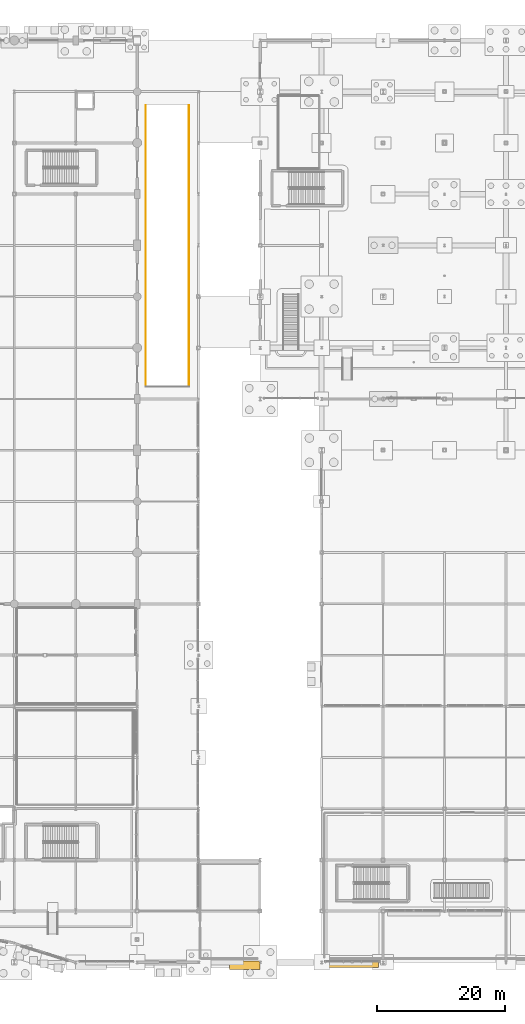
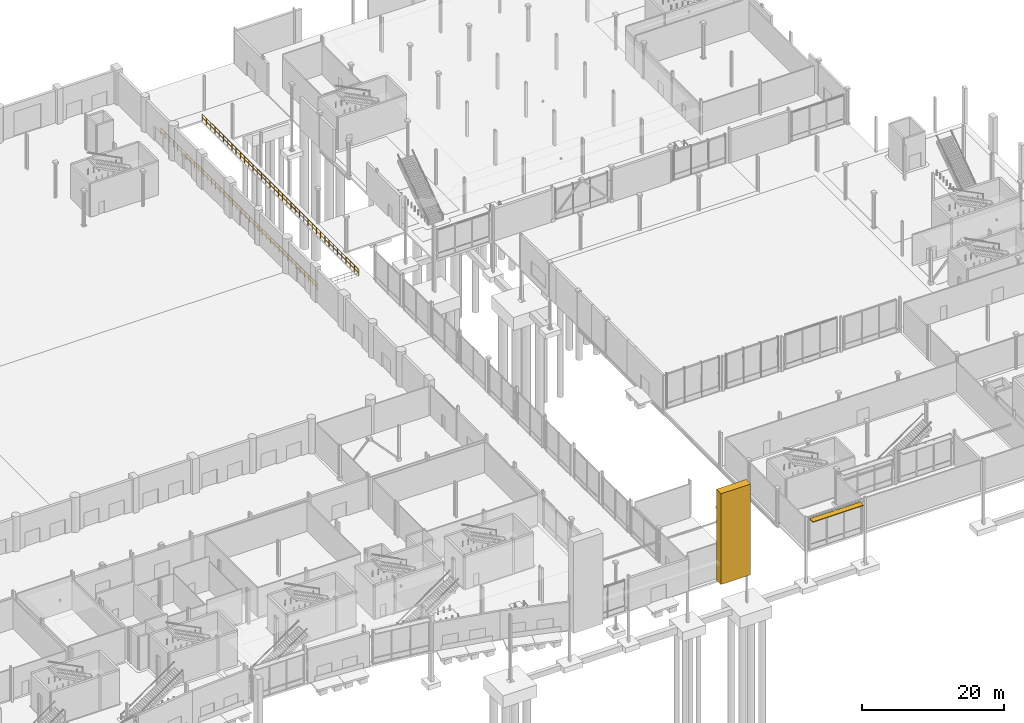
# One storey, part 113 of 124: 2 railings, 1 covering, 1 shading device.
"""IFC4 building model written with IfcOpenShell, lengths in metres."""

from ifc_helpers import new_model, si_unit, direction, frame, origin, origin_2d, place, context, subcontext, project, spatial, rectangle, circle, extrude, material, layer, layer_set, type_object, element, save


model = new_model("IFC4")

# Units and contexts
model_context = context("Model", 3, precision=1e-05, world=origin(), true_north=direction((0.0, 1.0)))
body_context = subcontext(model_context, "Body", "Model", "MODEL_VIEW")
ifc_project = project(units=[si_unit("LENGTHUNIT", "METRE"), si_unit("AREAUNIT", "SQUARE_METRE"), si_unit("VOLUMEUNIT", "CUBIC_METRE"), si_unit("PLANEANGLEUNIT", "RADIAN"), si_unit("MASSUNIT", "GRAM", prefix="KILO")], contexts=[model_context])

# Site, building, storey
site_placement = place(None, origin())
site = spatial("IfcSite", under=ifc_project, at=site_placement, CompositionType="ELEMENT")
building_placement = place(site_placement, origin())
building = spatial("IfcBuilding", under=site, at=building_placement, Name="Danafjord Basin Convention Centre", CompositionType="ELEMENT")
storey_placement = place(building_placement, origin())
storey = spatial("IfcBuildingStorey", under=building, at=storey_placement, Name="L00", CompositionType="ELEMENT", Elevation=0.0)

# Covering
ifc_material_1 = material(Name="Architectural white precast concrete C45/55", Category="concrete")
ifc_layer = layer(ifc_material_1, 0.419921875)
ifc_layer_set = layer_set([ifc_layer], Name="Architectural white precast concrete C45/55")
covering_type = type_object("IfcCoveringType", Name="COV-ARCH-PORTAL", PredefinedType="CLADDING", material=ifc_layer_set)
covering_placement = place(storey_placement, frame((132.0, -0.449951171875, 0.0), z_axis=(0.0, 0.0, 1.0), x_axis=(1.0, 0.0, 0.0)))
element("IfcCovering", 1, at=covering_placement, inside=storey, type_object=covering_type, Name="Main harbourfront entrance portal E banded pier", PredefinedType="CLADDING", context=body_context, shape_type="SweptSolid", body=[
    extrude(rectangle(XDim=4.800048828125, YDim=1.300048828125, at=origin_2d()), origin(), (0.0, 0.0, 1.0), 15.60009765625),
])

# Railings
ifc_material_2 = material(Name="Galvanised and powder-coated steel S355", Category="steel")
railing_type = type_object("IfcRailingType", Name="RL-BAL-STL", PredefinedType="BALUSTRADE", material=ifc_material_2)
railing_1_placement = place(storey_placement, frame((116.52001953125, 89.919921875, 0.0)))
element("IfcRailing", 2, at=railing_1_placement, inside=storey, type_object=railing_type, Name="L00 vehicle ramp well safety balustrade", PredefinedType="BALUSTRADE", context=body_context, shape_type="SweptSolid", body=[
    extrude(circle(Radius=0.02392578125, at=origin_2d()), frame((0.0, 0.0, 1.1259765625), z_axis=(0.0, 1.0, 0.0), x_axis=(-1.0, 0.0, 0.0)), (0.0, 0.0, 1.0), 43.97998046875),
    extrude(circle(Radius=0.02392578125, at=origin_2d()), frame((0.0, 0.0, 0.55078125), z_axis=(0.0, 1.0, 0.0), x_axis=(-1.0, 0.0, 0.0)), (0.0, 0.0, 1.0), 43.97998046875),
    extrude(circle(Radius=0.02099609375, at=origin_2d()), origin(), (0.0, 0.0, 1.0), 1.099853515625),
    extrude(circle(Radius=0.02099609375, at=origin_2d()), frame((0.0, 1.188720703125, 0.0)), (0.0, 0.0, 1.0), 1.099853515625),
    extrude(circle(Radius=0.02099609375, at=origin_2d()), frame((0.0, 2.377197265625, 0.0)), (0.0, 0.0, 1.0), 1.099853515625),
    extrude(circle(Radius=0.02099609375, at=origin_2d()), frame((0.0, 3.56591796875, 0.0)), (0.0, 0.0, 1.0), 1.099853515625),
    extrude(circle(Radius=0.02099609375, at=origin_2d()), frame((0.0, 4.754638671875, 0.0)), (0.0, 0.0, 1.0), 1.099853515625),
    extrude(circle(Radius=0.02099609375, at=origin_2d()), frame((0.0, 5.943359375, 0.0)), (0.0, 0.0, 1.0), 1.099853515625),
    extrude(circle(Radius=0.02099609375, at=origin_2d()), frame((0.0, 7.1318359375, 0.0)), (0.0, 0.0, 1.0), 1.099853515625),
    extrude(circle(Radius=0.02099609375, at=origin_2d()), frame((0.0, 8.320556640625, 0.0)), (0.0, 0.0, 1.0), 1.099853515625),
    extrude(circle(Radius=0.02099609375, at=origin_2d()), frame((0.0, 9.50927734375, 0.0)), (0.0, 0.0, 1.0), 1.099853515625),
    extrude(circle(Radius=0.02099609375, at=origin_2d()), frame((0.0, 10.69775390625, 0.0)), (0.0, 0.0, 1.0), 1.099853515625),
    extrude(circle(Radius=0.02099609375, at=origin_2d()), frame((0.0, 11.886474609375, 0.0)), (0.0, 0.0, 1.0), 1.099853515625),
    extrude(circle(Radius=0.02099609375, at=origin_2d()), frame((0.0, 13.0751953125, 0.0)), (0.0, 0.0, 1.0), 1.099853515625),
    extrude(circle(Radius=0.02099609375, at=origin_2d()), frame((0.0, 14.263671875, 0.0)), (0.0, 0.0, 1.0), 1.099853515625),
    extrude(circle(Radius=0.02099609375, at=origin_2d()), frame((0.0, 15.452392578125, 0.0)), (0.0, 0.0, 1.0), 1.099853515625),
    extrude(circle(Radius=0.02099609375, at=origin_2d()), frame((0.0, 16.64111328125, 0.0)), (0.0, 0.0, 1.0), 1.099853515625),
    extrude(circle(Radius=0.02099609375, at=origin_2d()), frame((0.0, 17.829833984375, 0.0)), (0.0, 0.0, 1.0), 1.099853515625),
    extrude(circle(Radius=0.02099609375, at=origin_2d()), frame((0.0, 19.018310546875, 0.0)), (0.0, 0.0, 1.0), 1.099853515625),
    extrude(circle(Radius=0.02099609375, at=origin_2d()), frame((0.0, 20.20703125, 0.0)), (0.0, 0.0, 1.0), 1.099853515625),
    extrude(circle(Radius=0.02099609375, at=origin_2d()), frame((0.0, 21.395751953125, 0.0)), (0.0, 0.0, 1.0), 1.099853515625),
    extrude(circle(Radius=0.02099609375, at=origin_2d()), frame((0.0, 22.584228515625, 0.0)), (0.0, 0.0, 1.0), 1.099853515625),
    extrude(circle(Radius=0.02099609375, at=origin_2d()), frame((0.0, 23.77294921875, 0.0)), (0.0, 0.0, 1.0), 1.099853515625),
    extrude(circle(Radius=0.02099609375, at=origin_2d()), frame((0.0, 24.961669921875, 0.0)), (0.0, 0.0, 1.0), 1.099853515625),
    extrude(circle(Radius=0.02099609375, at=origin_2d()), frame((0.0, 26.150146484375, 0.0)), (0.0, 0.0, 1.0), 1.099853515625),
    extrude(circle(Radius=0.02099609375, at=origin_2d()), frame((0.0, 27.3388671875, 0.0)), (0.0, 0.0, 1.0), 1.099853515625),
    extrude(circle(Radius=0.02099609375, at=origin_2d()), frame((0.0, 28.527587890625, 0.0)), (0.0, 0.0, 1.0), 1.099853515625),
    extrude(circle(Radius=0.02099609375, at=origin_2d()), frame((0.0, 29.71630859375, 0.0)), (0.0, 0.0, 1.0), 1.099853515625),
    extrude(circle(Radius=0.02099609375, at=origin_2d()), frame((0.0, 30.90478515625, 0.0)), (0.0, 0.0, 1.0), 1.099853515625),
    extrude(circle(Radius=0.02099609375, at=origin_2d()), frame((0.0, 32.093505859375, 0.0)), (0.0, 0.0, 1.0), 1.099853515625),
    extrude(circle(Radius=0.02099609375, at=origin_2d()), frame((0.0, 33.2822265625, 0.0)), (0.0, 0.0, 1.0), 1.099853515625),
    extrude(circle(Radius=0.02099609375, at=origin_2d()), frame((0.0, 34.470703125, 0.0)), (0.0, 0.0, 1.0), 1.099853515625),
    extrude(circle(Radius=0.02099609375, at=origin_2d()), frame((0.0, 35.659423828125, 0.0)), (0.0, 0.0, 1.0), 1.099853515625),
    extrude(circle(Radius=0.02099609375, at=origin_2d()), frame((0.0, 36.84814453125, 0.0)), (0.0, 0.0, 1.0), 1.099853515625),
    extrude(circle(Radius=0.02099609375, at=origin_2d()), frame((0.0, 38.03662109375, 0.0)), (0.0, 0.0, 1.0), 1.099853515625),
    extrude(circle(Radius=0.02099609375, at=origin_2d()), frame((0.0, 39.225341796875, 0.0)), (0.0, 0.0, 1.0), 1.099853515625),
    extrude(circle(Radius=0.02099609375, at=origin_2d()), frame((0.0, 40.4140625, 0.0)), (0.0, 0.0, 1.0), 1.099853515625),
    extrude(circle(Radius=0.02099609375, at=origin_2d()), frame((0.0, 41.602783203125, 0.0)), (0.0, 0.0, 1.0), 1.099853515625),
    extrude(circle(Radius=0.02099609375, at=origin_2d()), frame((0.0, 42.791259765625, 0.0)), (0.0, 0.0, 1.0), 1.099853515625),
    extrude(circle(Radius=0.02099609375, at=origin_2d()), frame((0.0, 43.97998046875, 0.0)), (0.0, 0.0, 1.0), 1.099853515625),
])
railing_2_placement = place(storey_placement, frame((123.280029296875, 89.919921875, 0.0)))
element("IfcRailing", 3, at=railing_2_placement, inside=storey, type_object=railing_type, Name="L00 vehicle ramp well safety balustrade", PredefinedType="BALUSTRADE", context=body_context, shape_type="SweptSolid", body=[
    extrude(circle(Radius=0.02392578125, at=origin_2d()), frame((0.0, 0.0, 1.1259765625), z_axis=(0.0, 1.0, 0.0), x_axis=(-1.0, 0.0, 0.0)), (0.0, 0.0, 1.0), 43.97998046875),
    extrude(circle(Radius=0.02392578125, at=origin_2d()), frame((0.0, 0.0, 0.55078125), z_axis=(0.0, 1.0, 0.0), x_axis=(-1.0, 0.0, 0.0)), (0.0, 0.0, 1.0), 43.97998046875),
    extrude(circle(Radius=0.02099609375, at=origin_2d()), origin(), (0.0, 0.0, 1.0), 1.099853515625),
    extrude(circle(Radius=0.02099609375, at=origin_2d()), frame((0.0, 1.188720703125, 0.0)), (0.0, 0.0, 1.0), 1.099853515625),
    extrude(circle(Radius=0.02099609375, at=origin_2d()), frame((0.0, 2.377197265625, 0.0)), (0.0, 0.0, 1.0), 1.099853515625),
    extrude(circle(Radius=0.02099609375, at=origin_2d()), frame((0.0, 3.56591796875, 0.0)), (0.0, 0.0, 1.0), 1.099853515625),
    extrude(circle(Radius=0.02099609375, at=origin_2d()), frame((0.0, 4.754638671875, 0.0)), (0.0, 0.0, 1.0), 1.099853515625),
    extrude(circle(Radius=0.02099609375, at=origin_2d()), frame((0.0, 5.943359375, 0.0)), (0.0, 0.0, 1.0), 1.099853515625),
    extrude(circle(Radius=0.02099609375, at=origin_2d()), frame((0.0, 7.1318359375, 0.0)), (0.0, 0.0, 1.0), 1.099853515625),
    extrude(circle(Radius=0.02099609375, at=origin_2d()), frame((0.0, 8.320556640625, 0.0)), (0.0, 0.0, 1.0), 1.099853515625),
    extrude(circle(Radius=0.02099609375, at=origin_2d()), frame((0.0, 9.50927734375, 0.0)), (0.0, 0.0, 1.0), 1.099853515625),
    extrude(circle(Radius=0.02099609375, at=origin_2d()), frame((0.0, 10.69775390625, 0.0)), (0.0, 0.0, 1.0), 1.099853515625),
    extrude(circle(Radius=0.02099609375, at=origin_2d()), frame((0.0, 11.886474609375, 0.0)), (0.0, 0.0, 1.0), 1.099853515625),
    extrude(circle(Radius=0.02099609375, at=origin_2d()), frame((0.0, 13.0751953125, 0.0)), (0.0, 0.0, 1.0), 1.099853515625),
    extrude(circle(Radius=0.02099609375, at=origin_2d()), frame((0.0, 14.263671875, 0.0)), (0.0, 0.0, 1.0), 1.099853515625),
    extrude(circle(Radius=0.02099609375, at=origin_2d()), frame((0.0, 15.452392578125, 0.0)), (0.0, 0.0, 1.0), 1.099853515625),
    extrude(circle(Radius=0.02099609375, at=origin_2d()), frame((0.0, 16.64111328125, 0.0)), (0.0, 0.0, 1.0), 1.099853515625),
    extrude(circle(Radius=0.02099609375, at=origin_2d()), frame((0.0, 17.829833984375, 0.0)), (0.0, 0.0, 1.0), 1.099853515625),
    extrude(circle(Radius=0.02099609375, at=origin_2d()), frame((0.0, 19.018310546875, 0.0)), (0.0, 0.0, 1.0), 1.099853515625),
    extrude(circle(Radius=0.02099609375, at=origin_2d()), frame((0.0, 20.20703125, 0.0)), (0.0, 0.0, 1.0), 1.099853515625),
    extrude(circle(Radius=0.02099609375, at=origin_2d()), frame((0.0, 21.395751953125, 0.0)), (0.0, 0.0, 1.0), 1.099853515625),
    extrude(circle(Radius=0.02099609375, at=origin_2d()), frame((0.0, 22.584228515625, 0.0)), (0.0, 0.0, 1.0), 1.099853515625),
    extrude(circle(Radius=0.02099609375, at=origin_2d()), frame((0.0, 23.77294921875, 0.0)), (0.0, 0.0, 1.0), 1.099853515625),
    extrude(circle(Radius=0.02099609375, at=origin_2d()), frame((0.0, 24.961669921875, 0.0)), (0.0, 0.0, 1.0), 1.099853515625),
    extrude(circle(Radius=0.02099609375, at=origin_2d()), frame((0.0, 26.150146484375, 0.0)), (0.0, 0.0, 1.0), 1.099853515625),
    extrude(circle(Radius=0.02099609375, at=origin_2d()), frame((0.0, 27.3388671875, 0.0)), (0.0, 0.0, 1.0), 1.099853515625),
    extrude(circle(Radius=0.02099609375, at=origin_2d()), frame((0.0, 28.527587890625, 0.0)), (0.0, 0.0, 1.0), 1.099853515625),
    extrude(circle(Radius=0.02099609375, at=origin_2d()), frame((0.0, 29.71630859375, 0.0)), (0.0, 0.0, 1.0), 1.099853515625),
    extrude(circle(Radius=0.02099609375, at=origin_2d()), frame((0.0, 30.90478515625, 0.0)), (0.0, 0.0, 1.0), 1.099853515625),
    extrude(circle(Radius=0.02099609375, at=origin_2d()), frame((0.0, 32.093505859375, 0.0)), (0.0, 0.0, 1.0), 1.099853515625),
    extrude(circle(Radius=0.02099609375, at=origin_2d()), frame((0.0, 33.2822265625, 0.0)), (0.0, 0.0, 1.0), 1.099853515625),
    extrude(circle(Radius=0.02099609375, at=origin_2d()), frame((0.0, 34.470703125, 0.0)), (0.0, 0.0, 1.0), 1.099853515625),
    extrude(circle(Radius=0.02099609375, at=origin_2d()), frame((0.0, 35.659423828125, 0.0)), (0.0, 0.0, 1.0), 1.099853515625),
    extrude(circle(Radius=0.02099609375, at=origin_2d()), frame((0.0, 36.84814453125, 0.0)), (0.0, 0.0, 1.0), 1.099853515625),
    extrude(circle(Radius=0.02099609375, at=origin_2d()), frame((0.0, 38.03662109375, 0.0)), (0.0, 0.0, 1.0), 1.099853515625),
    extrude(circle(Radius=0.02099609375, at=origin_2d()), frame((0.0, 39.225341796875, 0.0)), (0.0, 0.0, 1.0), 1.099853515625),
    extrude(circle(Radius=0.02099609375, at=origin_2d()), frame((0.0, 40.4140625, 0.0)), (0.0, 0.0, 1.0), 1.099853515625),
    extrude(circle(Radius=0.02099609375, at=origin_2d()), frame((0.0, 41.602783203125, 0.0)), (0.0, 0.0, 1.0), 1.099853515625),
    extrude(circle(Radius=0.02099609375, at=origin_2d()), frame((0.0, 42.791259765625, 0.0)), (0.0, 0.0, 1.0), 1.099853515625),
    extrude(circle(Radius=0.02099609375, at=origin_2d()), frame((0.0, 43.97998046875, 0.0)), (0.0, 0.0, 1.0), 1.099853515625),
])

# Shading device
ifc_material_3 = material(Name="Anodised aluminium aerofoil sunshade", Category="aluminium")
shading_device_type = type_object("IfcShadingDeviceType", Name="SHD-SUN-A", PredefinedType="USERDEFINED", material=ifc_material_3)
shading_device_placement = place(storey_placement, frame((148.800048828125, -0.340087890625, 5.179931640625), z_axis=(0.0, 0.0, 1.0), x_axis=(1.0, 0.0, 0.0)))
element("IfcShadingDevice", 4, at=shading_device_placement, inside=storey, type_object=shading_device_type, Name="L00 cantilevered harbour sunshade 15", ObjectType="SUNSHADE", PredefinedType="USERDEFINED", context=body_context, shape_type="SweptSolid", body=[
    extrude(rectangle(XDim=8.199951171875, YDim=0.89990234375, at=origin_2d()), origin(), (0.0, 0.0, 1.0), 0.1201171875),
])

save(model, "model.ifc")
